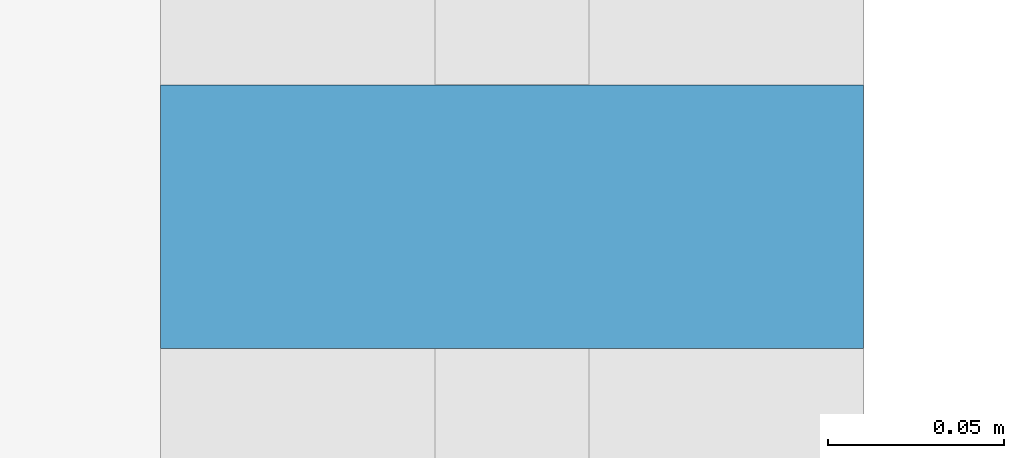
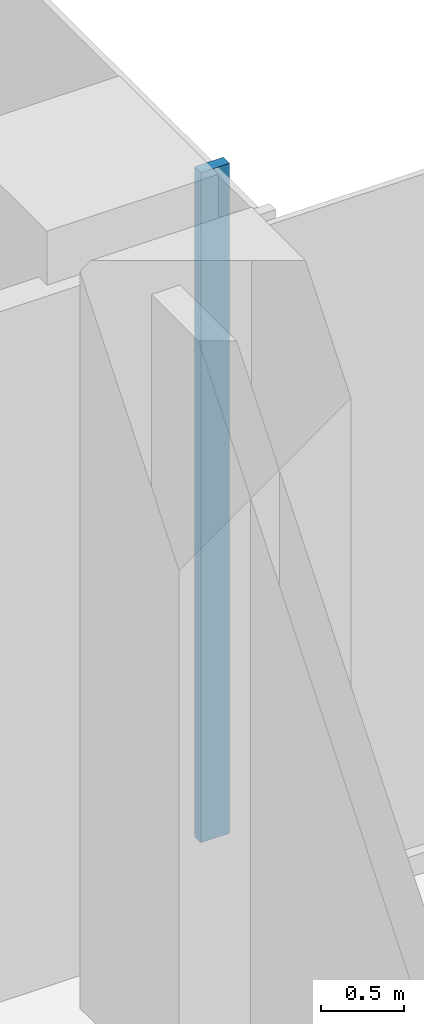
# One storey, part 4 of 30: 1 member, 1 element without a shape of its own.
"""IFC4 building model written with IfcOpenShell, lengths in metres."""

from ifc_helpers import new_model, si_unit, direction, frame, origin, origin_2d, place, context, subcontext, project, spatial, rectangle, extrude, source, transform, mapped, material, material_profile, profile_set, type_object, element, aggregate, save


model = new_model("IFC4")

# Units and contexts
model_context = context("Model", 3, precision=1e-05, world=origin(), true_north=direction((0.0, 1.0)))
body_context = subcontext(model_context, "Body", "Model", "MODEL_VIEW")
ifc_project = project(units=[si_unit("LENGTHUNIT", "METRE"), si_unit("AREAUNIT", "SQUARE_METRE"), si_unit("VOLUMEUNIT", "CUBIC_METRE"), si_unit("PLANEANGLEUNIT", "RADIAN"), si_unit("MASSUNIT", "GRAM", prefix="KILO")], contexts=[model_context])

# Site, building, storey
site_placement = place(None, origin())
site = spatial("IfcSite", under=ifc_project, at=site_placement, CompositionType="ELEMENT")
building_placement = place(site_placement, origin())
building = spatial("IfcBuilding", under=site, at=building_placement, Name="Kemantara Hotel Tower", CompositionType="ELEMENT")
storey_placement = place(building_placement, frame((0.0, 0.0, 18.0)))
storey = spatial("IfcBuildingStorey", under=building, at=storey_placement, Name="L03", CompositionType="ELEMENT", Elevation=18.0)

# Curtain wall, member
ifc_material_1 = material(Name="Laminated tinted insulated glass 44 mm", Category="glass")
curtain_wall_type = type_object("IfcCurtainWallType", Name="PODIUM GLASS CURTAIN WALL", PredefinedType="USERDEFINED", material=ifc_material_1)
curtain_wall_placement = place(storey_placement, origin())
curtain_wall = element("IfcCurtainWall", 1, at=curtain_wall_placement, inside=storey, type_object=curtain_wall_type, Name="CW1 L03 POD-R08-1", ObjectType="PODIUM GLASS CURTAIN WALL", PredefinedType="USERDEFINED")
ifc_material_2 = material(Name="Aluminium 6063-T6 bronze anodised", Category="aluminium")
ifc_material_profile = material_profile(ifc_material_2, rectangle(XDim=0.199951171875, YDim=0.074951171875, at=origin_2d()), Name="PODIUM GLASS CURTAIN WALL MULLION")
ifc_profile_set = profile_set([ifc_material_profile], Name="Aluminium 6063-T6 bronze anodised")
member_type = type_object("IfcMemberType", Name="PODIUM GLASS CURTAIN WALL MULLION", PredefinedType="MULLION", material=ifc_profile_set)
shared_shape = source(origin(), body_context, "Body", "SweptSolid", [
    extrude(rectangle(XDim=0.199951171875, YDim=0.074951171875, at=origin_2d()), origin(), (0.0, 0.0, 1.0), 4.9501953125),
])
member_placement = place(storey_placement, frame((63.5, 27.39990234375, 0.14990234375), z_axis=(0.0, 0.0, 1.0), x_axis=(-1.0, 0.0, 0.0)))
member = element("IfcMember", 2, at=member_placement, type_object=member_type, Name="CW1 mullion POD-R08-1.2", PredefinedType="MULLION", context=body_context, shape_type="MappedRepresentation", body=[
    mapped(shared_shape, transform((0.0, 0.0, 0.0))),
])
aggregate(curtain_wall, [member])

save(model, "model.ifc")
